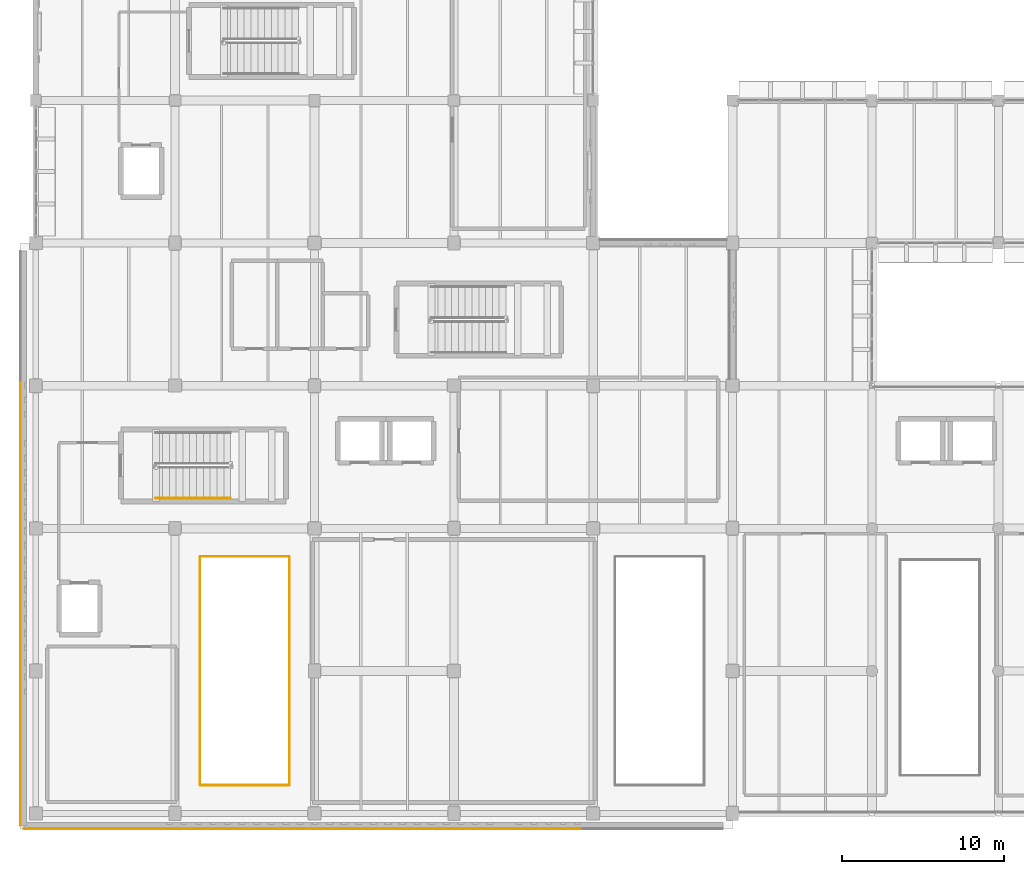
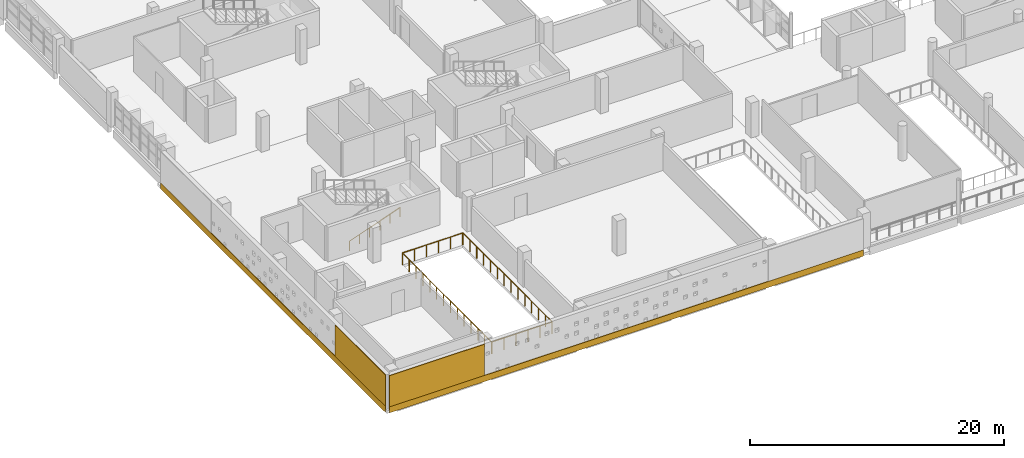
# One storey, part 66 of 75: 5 railings, 4 coverings.
"""IFC4 building model written with IfcOpenShell, lengths in metres."""

from ifc_helpers import new_model, si_unit, direction, frame, origin, origin_2d, place, context, subcontext, project, spatial, rectangle, circle, extrude, material, layer, layer_set, type_object, element, save


model = new_model("IFC4")

# Units and contexts
model_context = context("Model", 3, precision=1e-05, world=origin(), true_north=direction((0.0, 1.0)))
body_context = subcontext(model_context, "Body", "Model", "MODEL_VIEW")
ifc_project = project(units=[si_unit("LENGTHUNIT", "METRE"), si_unit("AREAUNIT", "SQUARE_METRE"), si_unit("VOLUMEUNIT", "CUBIC_METRE"), si_unit("PLANEANGLEUNIT", "RADIAN"), si_unit("MASSUNIT", "GRAM", prefix="KILO")], contexts=[model_context])

# Site, building, storey
site_placement = place(None, origin())
site = spatial("IfcSite", under=ifc_project, at=site_placement, CompositionType="ELEMENT")
building_placement = place(site_placement, origin())
building = spatial("IfcBuilding", under=site, at=building_placement, Name="Varnakota Cinema and Media Centre", CompositionType="ELEMENT")
storey_placement = place(building_placement, frame((0.0, 0.0, 8.39990234375)))
storey = spatial("IfcBuildingStorey", under=building, at=storey_placement, Name="L02", CompositionType="ELEMENT", Elevation=8.39990234375)

# Coverings
ifc_material_1 = material(Name="Pale Tandur limestone cladding", Category="masonry")
ifc_layer_1 = layer(ifc_material_1, 0.06005859375)
ifc_layer_set_1 = layer_set([ifc_layer_1], Name="Pale Tandur limestone cladding")
covering_type = type_object("IfcCoveringType", Name="COV-TANDUR-ASHLAR-60", PredefinedType="CLADDING", material=ifc_layer_set_1)
covering_1_placement = place(storey_placement, frame((20.830078125, -0.945068359375, -0.25), z_axis=(0.0, 0.0, 1.0), x_axis=(-1.0, 0.0, 0.0)))
element("IfcCovering", 1, at=covering_1_placement, inside=storey, type_object=covering_type, Name="L02 V4 pale Tandur stone spandrel ashlar V4-S", PredefinedType="CLADDING", context=body_context, shape_type="SweptSolid", body=[
    extrude(rectangle(XDim=43.139892578125, YDim=0.06005859375, at=origin_2d()), origin(), (0.0, 0.0, 1.0), 0.580078125),
])
covering_2_placement = place(storey_placement, frame((3.5849609375, -0.945068359375, 0.330078125), z_axis=(0.0, 0.0, 1.0), x_axis=(-1.0, 0.0, 0.0)))
element("IfcCovering", 2, at=covering_2_placement, inside=storey, type_object=covering_type, Name="L02 V4 pale Tandur stone right corner ashlar V4-S", PredefinedType="CLADDING", context=body_context, shape_type="SweptSolid", body=[
    extrude(rectangle(XDim=8.64990234375, YDim=0.06005859375, at=origin_2d()), origin(), (0.0, 0.0, 1.0), 3.010009765625),
])
covering_3_placement = place(storey_placement, frame((-0.945068359375, 16.97998046875, -0.25), z_axis=(0.0, 0.0, 1.0), x_axis=(0.0, 1.0, 0.0)))
element("IfcCovering", 3, at=covering_3_placement, inside=storey, type_object=covering_type, Name="L02 V4 pale Tandur stone spandrel ashlar V4-W", PredefinedType="CLADDING", context=body_context, shape_type="SweptSolid", body=[
    extrude(rectangle(XDim=35.43994140625, YDim=0.06005859375, at=origin_2d()), origin(), (0.0, 0.0, 1.0), 0.580078125),
])
covering_4_placement = place(storey_placement, frame((-0.945068359375, 3.235107421875, 0.330078125), z_axis=(0.0, 0.0, 1.0), x_axis=(0.0, 1.0, 0.0)))
element("IfcCovering", 4, at=covering_4_placement, inside=storey, type_object=covering_type, Name="L02 V4 pale Tandur stone left corner ashlar V4-W", PredefinedType="CLADDING", context=body_context, shape_type="SweptSolid", body=[
    extrude(rectangle(XDim=7.949951171875, YDim=0.06005859375, at=origin_2d()), origin(), (0.0, 0.0, 1.0), 3.010009765625),
])

# Railings
ifc_material_2 = material(Name="Anodised golden-bronze steel Grade 350 (E350)", Category="steel")
ifc_layer_2 = layer(ifc_material_2, 0.050048828125)
ifc_layer_set_2 = layer_set([ifc_layer_2], Name="Anodised golden-bronze steel Grade 350 (E350)")
railing_type_1 = type_object("IfcRailingType", Name="RAIL-GUARD-1150", PredefinedType="BALUSTRADE", material=ifc_layer_set_2)
railing_1_placement = place(storey_placement, frame((10.169921875, 1.739990234375, 0.0)))
element("IfcRailing", 5, at=railing_1_placement, inside=storey, type_object=railing_type_1, Name="L02 guard balustrade GRD-VOID-L02-2-1", PredefinedType="BALUSTRADE", context=body_context, shape_type="SweptSolid", body=[
    extrude(circle(Radius=0.02392578125, at=origin_2d()), frame((0.0, 0.0, 1.1259765625), z_axis=(1.0, 0.0, 0.0), x_axis=(0.0, 1.0, 0.0)), (0.0, 0.0, 1.0), 5.4599609375),
    extrude(circle(Radius=0.02099609375, at=origin_2d()), origin(), (0.0, 0.0, 1.0), 1.101806640625),
    extrude(circle(Radius=0.02099609375, at=origin_2d()), frame((1.092041015625, 0.0, 0.0)), (0.0, 0.0, 1.0), 1.101806640625),
    extrude(circle(Radius=0.02099609375, at=origin_2d()), frame((2.18408203125, 0.0, 0.0)), (0.0, 0.0, 1.0), 1.101806640625),
    extrude(circle(Radius=0.02099609375, at=origin_2d()), frame((3.27587890625, 0.0, 0.0)), (0.0, 0.0, 1.0), 1.101806640625),
    extrude(circle(Radius=0.02099609375, at=origin_2d()), frame((4.367919921875, 0.0, 0.0)), (0.0, 0.0, 1.0), 1.101806640625),
    extrude(circle(Radius=0.02099609375, at=origin_2d()), frame((5.4599609375, 0.0, 0.0)), (0.0, 0.0, 1.0), 1.101806640625),
])
railing_2_placement = place(storey_placement, frame((15.659912109375, 1.77001953125, 0.0)))
element("IfcRailing", 6, at=railing_2_placement, inside=storey, type_object=railing_type_1, Name="L02 guard balustrade GRD-VOID-L02-2-2", PredefinedType="BALUSTRADE", context=body_context, shape_type="SweptSolid", body=[
    extrude(circle(Radius=0.02392578125, at=origin_2d()), frame((0.0, 0.0, 1.1259765625), z_axis=(0.0, 1.0, 0.0), x_axis=(-1.0, 0.0, 0.0)), (0.0, 0.0, 1.0), 14.06005859375),
    extrude(circle(Radius=0.02099609375, at=origin_2d()), origin(), (0.0, 0.0, 1.0), 1.101806640625),
    extrude(circle(Radius=0.02099609375, at=origin_2d()), frame((0.0, 1.08154296875, 0.0)), (0.0, 0.0, 1.0), 1.101806640625),
    extrude(circle(Radius=0.02099609375, at=origin_2d()), frame((0.0, 2.1630859375, 0.0)), (0.0, 0.0, 1.0), 1.101806640625),
    extrude(circle(Radius=0.02099609375, at=origin_2d()), frame((0.0, 3.24462890625, 0.0)), (0.0, 0.0, 1.0), 1.101806640625),
    extrude(circle(Radius=0.02099609375, at=origin_2d()), frame((0.0, 4.326171875, 0.0)), (0.0, 0.0, 1.0), 1.101806640625),
    extrude(circle(Radius=0.02099609375, at=origin_2d()), frame((0.0, 5.40771484375, 0.0)), (0.0, 0.0, 1.0), 1.101806640625),
    extrude(circle(Radius=0.02099609375, at=origin_2d()), frame((0.0, 6.4892578125, 0.0)), (0.0, 0.0, 1.0), 1.101806640625),
    extrude(circle(Radius=0.02099609375, at=origin_2d()), frame((0.0, 7.57080078125, 0.0)), (0.0, 0.0, 1.0), 1.101806640625),
    extrude(circle(Radius=0.02099609375, at=origin_2d()), frame((0.0, 8.65234375, 0.0)), (0.0, 0.0, 1.0), 1.101806640625),
    extrude(circle(Radius=0.02099609375, at=origin_2d()), frame((0.0, 9.73388671875, 0.0)), (0.0, 0.0, 1.0), 1.101806640625),
    extrude(circle(Radius=0.02099609375, at=origin_2d()), frame((0.0, 10.8154296875, 0.0)), (0.0, 0.0, 1.0), 1.101806640625),
    extrude(circle(Radius=0.02099609375, at=origin_2d()), frame((0.0, 11.89697265625, 0.0)), (0.0, 0.0, 1.0), 1.101806640625),
    extrude(circle(Radius=0.02099609375, at=origin_2d()), frame((0.0, 12.978515625, 0.0)), (0.0, 0.0, 1.0), 1.101806640625),
    extrude(circle(Radius=0.02099609375, at=origin_2d()), frame((0.0, 14.06005859375, 0.0)), (0.0, 0.0, 1.0), 1.101806640625),
])
railing_3_placement = place(storey_placement, frame((15.6298828125, 15.860107421875, 0.0)))
element("IfcRailing", 7, at=railing_3_placement, inside=storey, type_object=railing_type_1, Name="L02 guard balustrade GRD-VOID-L02-2-3", PredefinedType="BALUSTRADE", context=body_context, shape_type="SweptSolid", body=[
    extrude(circle(Radius=0.02392578125, at=origin_2d()), frame((0.0, 0.0, 1.1259765625), z_axis=(-1.0, 0.0, 0.0), x_axis=(0.0, -1.0, 0.0)), (0.0, 0.0, 1.0), 5.4599609375),
    extrude(circle(Radius=0.02099609375, at=origin_2d()), origin(), (0.0, 0.0, 1.0), 1.101806640625),
    extrude(circle(Radius=0.02099609375, at=origin_2d()), frame((-1.092041015625, 0.0, 0.0)), (0.0, 0.0, 1.0), 1.101806640625),
    extrude(circle(Radius=0.02099609375, at=origin_2d()), frame((-2.18408203125, 0.0, 0.0)), (0.0, 0.0, 1.0), 1.101806640625),
    extrude(circle(Radius=0.02099609375, at=origin_2d()), frame((-3.27587890625, 0.0, 0.0)), (0.0, 0.0, 1.0), 1.101806640625),
    extrude(circle(Radius=0.02099609375, at=origin_2d()), frame((-4.367919921875, 0.0, 0.0)), (0.0, 0.0, 1.0), 1.101806640625),
    extrude(circle(Radius=0.02099609375, at=origin_2d()), frame((-5.4599609375, 0.0, 0.0)), (0.0, 0.0, 1.0), 1.101806640625),
])
railing_4_placement = place(storey_placement, frame((10.139892578125, 15.830078125, 0.0)))
element("IfcRailing", 8, at=railing_4_placement, inside=storey, type_object=railing_type_1, Name="L02 guard balustrade GRD-VOID-L02-2-4", PredefinedType="BALUSTRADE", context=body_context, shape_type="SweptSolid", body=[
    extrude(circle(Radius=0.02392578125, at=origin_2d()), frame((0.0, 0.0, 1.1259765625), z_axis=(0.0, -1.0, 0.0), x_axis=(1.0, 0.0, 0.0)), (0.0, 0.0, 1.0), 14.06005859375),
    extrude(circle(Radius=0.02099609375, at=origin_2d()), origin(), (0.0, 0.0, 1.0), 1.101806640625),
    extrude(circle(Radius=0.02099609375, at=origin_2d()), frame((0.0, -1.08154296875, 0.0)), (0.0, 0.0, 1.0), 1.101806640625),
    extrude(circle(Radius=0.02099609375, at=origin_2d()), frame((0.0, -2.1630859375, 0.0)), (0.0, 0.0, 1.0), 1.101806640625),
    extrude(circle(Radius=0.02099609375, at=origin_2d()), frame((0.0, -3.24462890625, 0.0)), (0.0, 0.0, 1.0), 1.101806640625),
    extrude(circle(Radius=0.02099609375, at=origin_2d()), frame((0.0, -4.326171875, 0.0)), (0.0, 0.0, 1.0), 1.101806640625),
    extrude(circle(Radius=0.02099609375, at=origin_2d()), frame((0.0, -5.40771484375, 0.0)), (0.0, 0.0, 1.0), 1.101806640625),
    extrude(circle(Radius=0.02099609375, at=origin_2d()), frame((0.0, -6.4892578125, 0.0)), (0.0, 0.0, 1.0), 1.101806640625),
    extrude(circle(Radius=0.02099609375, at=origin_2d()), frame((0.0, -7.57080078125, 0.0)), (0.0, 0.0, 1.0), 1.101806640625),
    extrude(circle(Radius=0.02099609375, at=origin_2d()), frame((0.0, -8.65234375, 0.0)), (0.0, 0.0, 1.0), 1.101806640625),
    extrude(circle(Radius=0.02099609375, at=origin_2d()), frame((0.0, -9.73388671875, 0.0)), (0.0, 0.0, 1.0), 1.101806640625),
    extrude(circle(Radius=0.02099609375, at=origin_2d()), frame((0.0, -10.8154296875, 0.0)), (0.0, 0.0, 1.0), 1.101806640625),
    extrude(circle(Radius=0.02099609375, at=origin_2d()), frame((0.0, -11.89697265625, 0.0)), (0.0, 0.0, 1.0), 1.101806640625),
    extrude(circle(Radius=0.02099609375, at=origin_2d()), frame((0.0, -12.978515625, 0.0)), (0.0, 0.0, 1.0), 1.101806640625),
    extrude(circle(Radius=0.02099609375, at=origin_2d()), frame((0.0, -14.06005859375, 0.0)), (0.0, 0.0, 1.0), 1.101806640625),
])
ifc_material_3 = material(Name="Structural steel Grade 350 (E350)", Category="steel")
ifc_layer_3 = layer(ifc_material_3, 0.048095703125)
ifc_layer_set_3 = layer_set([ifc_layer_3], Name="Structural steel Grade 350 (E350)")
railing_type_2 = type_object("IfcRailingType", Name="RAIL-STAIR-HAND-900", PredefinedType="HANDRAIL", material=ifc_layer_set_3)
railing_5_placement = place(storey_placement, frame((7.39990234375, 19.449951171875, 0.150146484375)))
element("IfcRailing", 9, at=railing_5_placement, inside=storey, type_object=railing_type_2, Name="L02 ST-01 stair handrail 1", PredefinedType="HANDRAIL", context=body_context, shape_type="SweptSolid", body=[
    extrude(circle(Radius=0.02392578125, at=origin_2d()), frame((0.0, 0.0, 0.8759765625), z_axis=(0.941750918478, 0.0, 0.336311176658), x_axis=(0.0, 1.0, 0.0)), (0.0, 0.0, 1.0), 4.90576171875),
    extrude(circle(Radius=0.02099609375, at=origin_2d()), origin(), (0.0, 0.0, 1.0), 0.851806640625),
    extrude(circle(Radius=0.02099609375, at=origin_2d()), frame((0.924072265625, 0.0, 0.330078125)), (0.0, 0.0, 1.0), 0.851806640625),
    extrude(circle(Radius=0.02099609375, at=origin_2d()), frame((1.84814453125, 0.0, 0.659912109375)), (0.0, 0.0, 1.0), 0.851806640625),
    extrude(circle(Radius=0.02099609375, at=origin_2d()), frame((2.77197265625, 0.0, 0.989990234375)), (0.0, 0.0, 1.0), 0.851806640625),
    extrude(circle(Radius=0.02099609375, at=origin_2d()), frame((3.696044921875, 0.0, 1.31982421875)), (0.0, 0.0, 1.0), 0.851806640625),
    extrude(circle(Radius=0.02099609375, at=origin_2d()), frame((4.6201171875, 0.0, 1.64990234375)), (0.0, 0.0, 1.0), 0.851806640625),
])

save(model, "model.ifc")
